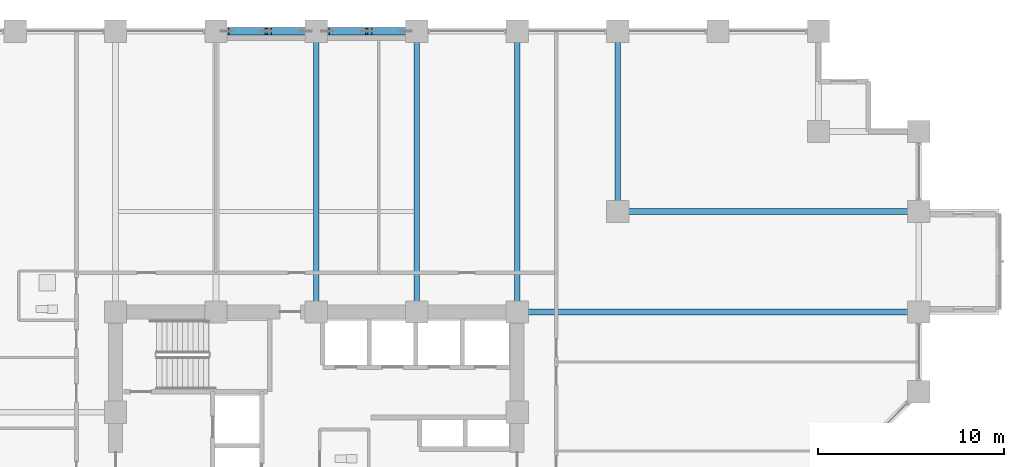
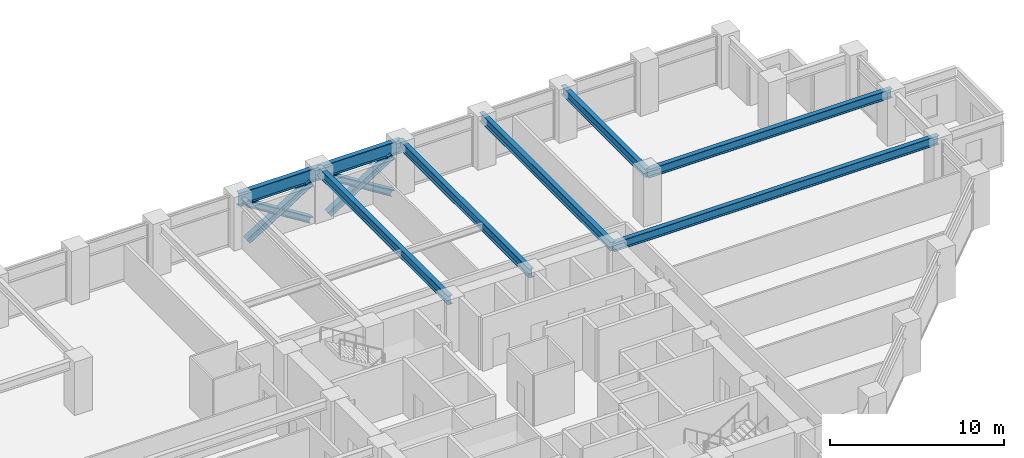
# One storey, part 14 of 28: 8 beams, 6 members.
"""IFC4 building model written with IfcOpenShell, lengths in metres."""

from ifc_helpers import new_model, si_unit, direction, frame, origin, origin_2d, place, context, subcontext, project, spatial, i_section, extrude, material, material_profile, profile_set, type_object, element, save


model = new_model("IFC4")

# Units and contexts
model_context = context("Model", 3, precision=1e-05, world=origin(), true_north=direction((0.0, 1.0)))
body_context = subcontext(model_context, "Body", "Model", "MODEL_VIEW")
ifc_project = project(units=[si_unit("LENGTHUNIT", "METRE"), si_unit("AREAUNIT", "SQUARE_METRE"), si_unit("VOLUMEUNIT", "CUBIC_METRE"), si_unit("PLANEANGLEUNIT", "RADIAN"), si_unit("MASSUNIT", "GRAM", prefix="KILO")], contexts=[model_context])

# Site, building, storey
site_placement = place(None, origin())
site = spatial("IfcSite", under=ifc_project, at=site_placement, CompositionType="ELEMENT")
building_placement = place(site_placement, origin())
building = spatial("IfcBuilding", under=site, at=building_placement, Name="Surkhivell Harbour Commons", CompositionType="ELEMENT")
storey_placement = place(building_placement, frame((0.0, 0.0, 63.75)))
storey = spatial("IfcBuildingStorey", under=building, at=storey_placement, Name="L16", CompositionType="ELEMENT", Elevation=63.75)

# Beams
ifc_material_1 = material(Name="Steel S355", Category="steel")
ifc_material_profile_1 = material_profile(ifc_material_1, i_section(OverallWidth=0.306884765625, OverallDepth=0.6201171875, WebThickness=0.01416015625, FlangeThickness=0.023681640625, at=origin_2d()), Name="UB610x305x179")
ifc_profile_set_1 = profile_set([ifc_material_profile_1], Name="Steel S355")
beam_type_1 = type_object("IfcBeamType", Name="BM-GRD-610A", PredefinedType="BEAM", material=ifc_profile_set_1)
beam_1_placement = place(storey_placement, frame((10.800048828125, 10.800048828125, 3.260009765625), z_axis=(1.0, 0.0, 0.0), x_axis=(0.0, 1.0, 0.0)))
element("IfcBeam", 1, at=beam_1_placement, inside=storey, type_object=beam_type_1, Name="L16 Cantilever Back-Span Girder (10.8,10.8)", PredefinedType="BEAM", context=body_context, shape_type="SweptSolid", body=[
    extrude(i_section(OverallWidth=0.306884765625, OverallDepth=0.6201171875, WebThickness=0.01416015625, FlangeThickness=0.023681640625, at=origin_2d()), origin(), (0.0, 0.0, 1.0), 21.599853515625),
])
beam_2_placement = place(storey_placement, frame((16.199951171875, 16.199951171875, 3.260009765625), z_axis=(1.0, 0.0, 0.0), x_axis=(0.0, 1.0, 0.0)))
element("IfcBeam", 2, at=beam_2_placement, inside=storey, type_object=beam_type_1, Name="L16 Cantilever Back-Span Girder (16.2,16.2)", PredefinedType="BEAM", context=body_context, shape_type="SweptSolid", body=[
    extrude(i_section(OverallWidth=0.306884765625, OverallDepth=0.6201171875, WebThickness=0.01416015625, FlangeThickness=0.023681640625, at=origin_2d()), origin(), (0.0, 0.0, 1.0), 16.199951171875),
])
for number, where, z_axis, x_axis, name in (
    (3, (0.0, 10.800048828125, 3.260009765625), (0.0, 1.0, 0.0), (-1.0, 0.0, 0.0), "L16 Floor Girder (0.0,10.8)"),
    (4, (5.39990234375, 10.800048828125, 3.260009765625), (0.0, 1.0, 0.0), (-1.0, 0.0, 0.0), "L16 Floor Girder (5.4,10.8)"),
    (5, (10.800048828125, 10.800048828125, 3.260009765625), (0.0, 1.0, 0.0), (-1.0, 0.0, 0.0), "L16 Floor Girder (10.8,10.8)"),
):
    element("IfcBeam", number, at=place(storey_placement, frame(where, z_axis=z_axis, x_axis=x_axis)), inside=storey, type_object=beam_type_1, Name=name, PredefinedType="BEAM", context=body_context, shape_type="SweptSolid", body=[
        extrude(i_section(OverallWidth=0.306884765625, OverallDepth=0.6201171875, WebThickness=0.01416015625, FlangeThickness=0.023681640625, at=origin_2d()), origin(), (0.0, 0.0, 1.0), 15.099853515625),
    ])
beam_3_placement = place(storey_placement, frame((16.199951171875, 16.199951171875, 3.260009765625), z_axis=(0.0, 1.0, 0.0), x_axis=(-1.0, 0.0, 0.0)))
element("IfcBeam", 6, at=beam_3_placement, inside=storey, type_object=beam_type_1, Name="L16 Floor Girder (16.2,16.2)", PredefinedType="BEAM", context=body_context, shape_type="SweptSolid", body=[
    extrude(i_section(OverallWidth=0.306884765625, OverallDepth=0.6201171875, WebThickness=0.01416015625, FlangeThickness=0.023681640625, at=origin_2d()), origin(), (0.0, 0.0, 1.0), 9.699951171875),
])
ifc_material_2 = material(Name="Steel S460", Category="steel")
ifc_material_profile_2 = material_profile(ifc_material_2, i_section(OverallWidth=0.30810546875, OverallDepth=0.927001953125, WebThickness=0.01953125, FlangeThickness=0.031982421875, at=origin_2d()), Name="UB914x305x289")
ifc_profile_set_2 = profile_set([ifc_material_profile_2], Name="Steel S460")
beam_type_2 = type_object("IfcBeamType", Name="BM-SPN-914B", PredefinedType="SPANDREL", material=ifc_profile_set_2)
for number, where, z_axis, x_axis, name in (
    (7, (-5.39990234375, 25.89990234375, 3.1064453125), (1.0, 0.0, 0.0), (0.0, 1.0, 0.0), "L16 Tube Spandrel (-5.4,25.9)"),
    (8, (0.0, 25.89990234375, 3.1064453125), (1.0, 0.0, 0.0), (0.0, 1.0, 0.0), "L16 Tube Spandrel (-0.0,25.9)"),
):
    element("IfcBeam", number, at=place(storey_placement, frame(where, z_axis=z_axis, x_axis=x_axis)), inside=storey, type_object=beam_type_2, Name=name, PredefinedType="SPANDREL", context=body_context, shape_type="SweptSolid", body=[
        extrude(i_section(OverallWidth=0.30810546875, OverallDepth=0.927001953125, WebThickness=0.01953125, FlangeThickness=0.031982421875, at=origin_2d()), origin(), (0.0, 0.0, 1.0), 5.39990234375),
    ])

# Members
ifc_material_profile_3 = material_profile(ifc_material_2, i_section(OverallWidth=0.406005859375, OverallDepth=0.416015625, WebThickness=0.026611328125, FlangeThickness=0.0390625, at=origin_2d()), Name="HD400x382")
ifc_profile_set_3 = profile_set([ifc_material_profile_3], Name="Steel S460")
member_type = type_object("IfcMemberType", Name="MEM-BRC-HD382", PredefinedType="BRACE", material=ifc_profile_set_3)
member_1_placement = place(storey_placement, frame((-4.81494140625, 25.89990234375, 0.008056640625), z_axis=(0.848432685315, 0.0, 0.529303295369), x_axis=(0.0, 1.0, 0.0)))
element("IfcMember", 9, at=member_1_placement, inside=storey, type_object=member_type, Name="L16 Perimeter Mega-Brace MB- 01", PredefinedType="BRACE", context=body_context, shape_type="SweptSolid", body=[
    extrude(i_section(OverallWidth=0.406005859375, OverallDepth=0.416015625, WebThickness=0.026611328125, FlangeThickness=0.0390625, at=origin_2d()), origin(), (0.0, 0.0, 1.0), 4.985595703125),
])
member_2_placement = place(storey_placement, frame((-0.5849609375, 25.89990234375, 0.008056640625), z_axis=(-0.848458555811, 0.0, 0.529261824688), x_axis=(0.0, -1.0, 0.0)))
element("IfcMember", 10, at=member_2_placement, inside=storey, type_object=member_type, Name="L16 Perimeter Mega-Brace MB- 02", PredefinedType="BRACE", context=body_context, shape_type="SweptSolid", body=[
    extrude(i_section(OverallWidth=0.406005859375, OverallDepth=0.416015625, WebThickness=0.026611328125, FlangeThickness=0.0390625, at=origin_2d()), origin(), (0.0, 0.0, 1.0), 2.29296875),
])
member_3_placement = place(storey_placement, frame((-2.869384765625, 25.89990234375, 1.43310546875), z_axis=(-0.848410744023, 0.0, 0.529338463958), x_axis=(0.0, -1.0, 0.0)))
element("IfcMember", 11, at=member_3_placement, inside=storey, type_object=member_type, Name="L16 Perimeter Mega-Brace MB- 03", PredefinedType="BRACE", context=body_context, shape_type="SweptSolid", body=[
    extrude(i_section(OverallWidth=0.406005859375, OverallDepth=0.416015625, WebThickness=0.026611328125, FlangeThickness=0.0390625, at=origin_2d()), origin(), (0.0, 0.0, 1.0), 2.293212890625),
])
member_4_placement = place(storey_placement, frame((0.5849609375, 25.89990234375, 0.008056640625), z_axis=(0.848432685315, 0.0, 0.529303295369), x_axis=(0.0, 1.0, 0.0)))
element("IfcMember", 12, at=member_4_placement, inside=storey, type_object=member_type, Name="L16 Perimeter Mega-Brace MB- 04", PredefinedType="BRACE", context=body_context, shape_type="SweptSolid", body=[
    extrude(i_section(OverallWidth=0.406005859375, OverallDepth=0.416015625, WebThickness=0.026611328125, FlangeThickness=0.0390625, at=origin_2d()), origin(), (0.0, 0.0, 1.0), 4.985595703125),
])
member_5_placement = place(storey_placement, frame((4.81494140625, 25.89990234375, 0.008056640625), z_axis=(-0.848458555811, 0.0, 0.529261824688), x_axis=(0.0, -1.0, 0.0)))
element("IfcMember", 13, at=member_5_placement, inside=storey, type_object=member_type, Name="L16 Perimeter Mega-Brace MB- 05", PredefinedType="BRACE", context=body_context, shape_type="SweptSolid", body=[
    extrude(i_section(OverallWidth=0.406005859375, OverallDepth=0.416015625, WebThickness=0.026611328125, FlangeThickness=0.0390625, at=origin_2d()), origin(), (0.0, 0.0, 1.0), 2.29296875),
])
member_6_placement = place(storey_placement, frame((2.530517578125, 25.89990234375, 1.43310546875), z_axis=(-0.848410744023, 0.0, 0.529338463958), x_axis=(0.0, -1.0, 0.0)))
element("IfcMember", 14, at=member_6_placement, inside=storey, type_object=member_type, Name="L16 Perimeter Mega-Brace MB- 06", PredefinedType="BRACE", context=body_context, shape_type="SweptSolid", body=[
    extrude(i_section(OverallWidth=0.406005859375, OverallDepth=0.416015625, WebThickness=0.026611328125, FlangeThickness=0.0390625, at=origin_2d()), origin(), (0.0, 0.0, 1.0), 2.293212890625),
])

save(model, "model.ifc")
